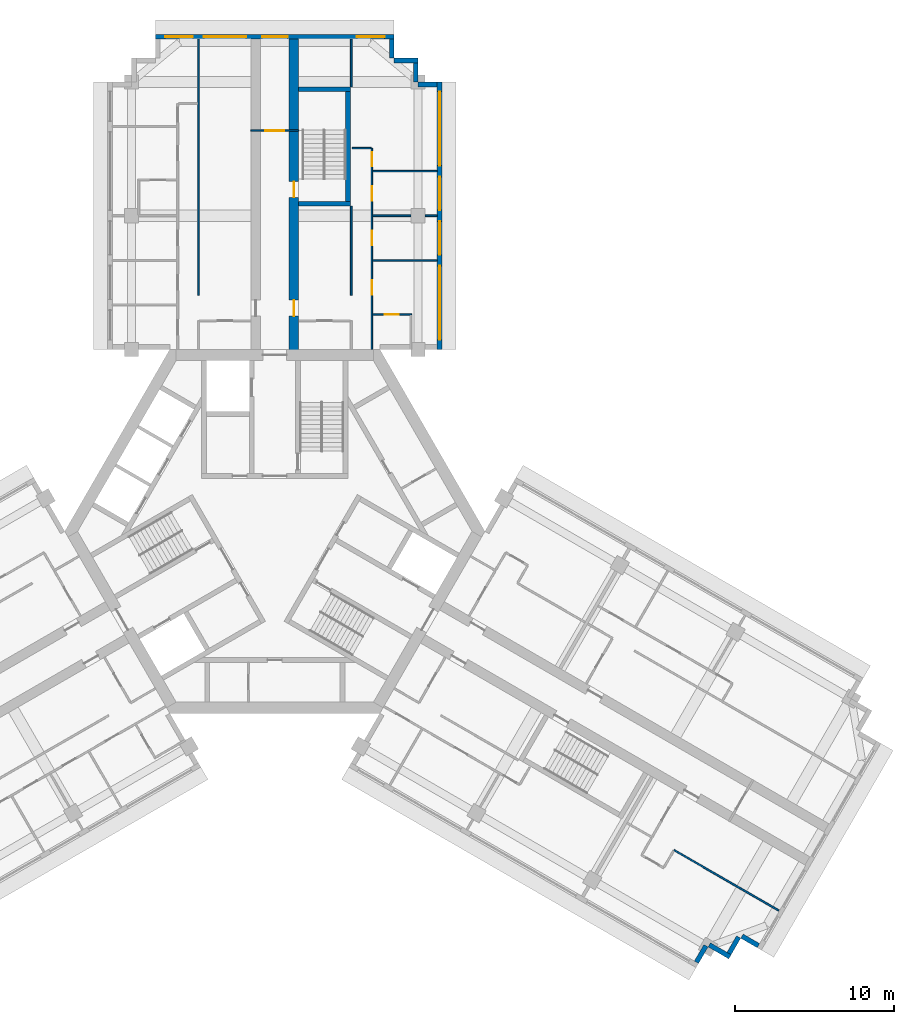
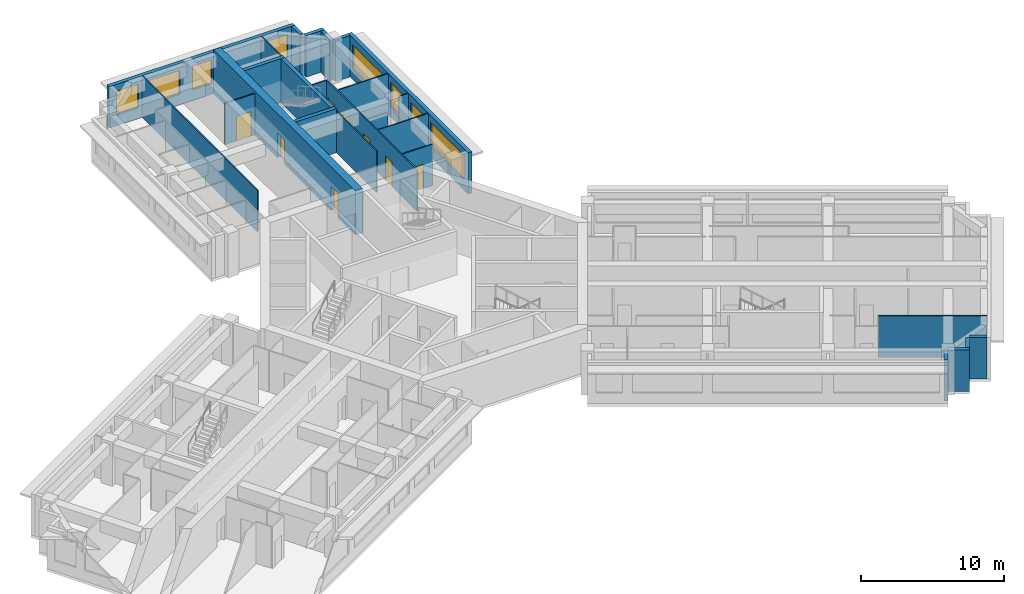
# One storey, part 8 of 10: 26 walls, 8 doors, 8 windows, 16 openings.
"""IFC4 building model written with IfcOpenShell, lengths in metres."""

import ifcopenshell
import ifcopenshell.guid

model = None  # the IFC model being written
_history = None  # IfcOwnerHistory: only IFC2X3 demands one
_inside = {}  # id of a spatial element -> (the spatial element, [elements in it])
_under = {}  # id of a project, library or spatial element -> (it, [spatial elements below it])
_declared = {}  # id of a project -> (the project, [libraries it declares])
_typed = {}  # id of a type object -> (the type object, [elements of that type])
_made_of = {}  # id of a material, layer set ... -> (it, [elements and type objects made of it])


def new_model(schema):
    """Start an empty IFC model of exactly this schema.

    Asked for "IFC4X3", IfcOpenShell would pick the latest addendum, in which some entities
    have other attributes; the version numbers below select the first issue.
    IFC2X3 requires an IfcOwnerHistory on every rooted entity: one is made here for all.
    """
    global model, _history
    if schema == "IFC4X3":
        model = ifcopenshell.file(schema_version=(4, 3, 0, 0))
    else:
        model = ifcopenshell.file(schema=schema)
    _inside.clear()
    _under.clear()
    _declared.clear()
    _typed.clear()
    _made_of.clear()
    _history = None
    if model.schema == "IFC2X3":
        org = make("IfcOrganization", Name="unknown")
        user = make(
            "IfcPersonAndOrganization",
            ThePerson=make("IfcPerson", FamilyName="unknown"),
            TheOrganization=org,
        )
        app = make(
            "IfcApplication",
            ApplicationDeveloper=org,
            Version="unknown",
            ApplicationFullName="unknown",
            ApplicationIdentifier="unknown",
        )
        _history = make(
            "IfcOwnerHistory",
            OwningUser=user,
            OwningApplication=app,
            ChangeAction="ADDED",
            CreationDate=0,
        )
    return model


def make(cls, **values):
    """One entity of the class cls with the attributes given. An attribute that is None is left unset."""
    return model.create_entity(
        cls, **{name: value for name, value in values.items() if value is not None}
    )


def rooted(cls, **values):
    """An entity with a GlobalId (a new one), such as an element, a storey or a relation."""
    return make(cls, GlobalId=ifcopenshell.guid.new(), OwnerHistory=_history, **values)


def si_unit(unit_type, name, prefix=None):
    """IfcSIUnit, for example si_unit("LENGTHUNIT", "METRE", prefix="MILLI")."""
    return make("IfcSIUnit", UnitType=unit_type, Prefix=prefix, Name=name)


def assignment(units):
    """IfcUnitAssignment: the units of a project."""
    return None if units is None else make("IfcUnitAssignment", Units=units)


def point(xyz):
    """IfcCartesianPoint."""
    return None if xyz is None else make("IfcCartesianPoint", Coordinates=xyz)


def direction(xyz):
    """IfcDirection."""
    return None if xyz is None else make("IfcDirection", DirectionRatios=xyz)


def frame(location, z_axis=None, x_axis=None):
    """IfcAxis2Placement3D, a coordinate frame: its origin and axes. An axis left out is left unset."""
    return make(
        "IfcAxis2Placement3D",
        Location=point(location),
        Axis=direction(z_axis),
        RefDirection=direction(x_axis),
    )


def frame_2d(location, x_axis=None):
    """IfcAxis2Placement2D, a coordinate frame in the plane: its origin and x axis."""
    return make(
        "IfcAxis2Placement2D", Location=point(location), RefDirection=direction(x_axis)
    )


def origin():
    """The frame at (0, 0, 0) with its axes left unset."""
    return frame((0.0, 0.0, 0.0))


def place(relative_to, where):
    """IfcLocalPlacement: puts the frame where relative to a parent placement (None: the world)."""
    return make(
        "IfcLocalPlacement", PlacementRelTo=relative_to, RelativePlacement=where
    )


def context(
    kind, dimensions, precision=None, world=None, true_north=None, identifier=None
):
    """IfcGeometricRepresentationContext, for example the 3D "Model" context."""
    return make(
        "IfcGeometricRepresentationContext",
        ContextIdentifier=identifier,
        ContextType=kind,
        CoordinateSpaceDimension=dimensions,
        Precision=precision,
        WorldCoordinateSystem=world,
        TrueNorth=true_north,
    )


def subcontext(parent, identifier, kind, view, scale=None):
    """IfcGeometricRepresentationSubContext, for example "Body" below "Model"."""
    return make(
        "IfcGeometricRepresentationSubContext",
        ContextIdentifier=identifier,
        ContextType=kind,
        ParentContext=parent,
        TargetScale=scale,
        TargetView=view,
    )


def project(units=None, contexts=None):
    """IfcProject with its units and contexts."""
    return rooted(
        "IfcProject",
        Name="project",
        RepresentationContexts=contexts,
        UnitsInContext=assignment(units),
    )


def spatial(cls, under=None, at=None, **own):
    """A site, building, storey or space (cls), placed at a placement, below another one or the project."""
    s = rooted(cls, ObjectPlacement=at, **own)
    if under is not None:
        _under.setdefault(under.id(), (under, []))[1].append(s)
    return s


def profile(cls, at=None, kind="AREA", **sizes):
    """A parametric profile (cls). Its sizes go by their IFC names, for example OverallWidth=200.0."""
    return make(cls, ProfileType=kind, Position=at, **sizes)


def rectangle(**sizes):
    """IfcRectangleProfileDef."""
    return profile("IfcRectangleProfileDef", **sizes)


def extrude(swept, where, along, depth):
    """IfcExtrudedAreaSolid: the profile swept, set in the frame where, extruded along a direction by depth."""
    return make(
        "IfcExtrudedAreaSolid",
        SweptArea=swept,
        Position=where,
        ExtrudedDirection=direction(along),
        Depth=depth,
    )


def shape(context_of_items, identifier, shape_type, items):
    """IfcShapeRepresentation: the items that make up one representation, for example the "Body"."""
    return make(
        "IfcShapeRepresentation",
        ContextOfItems=context_of_items,
        RepresentationIdentifier=identifier,
        RepresentationType=shape_type,
        Items=items,
    )


def material(Name=None, Category=None):
    """IfcMaterial."""
    return make("IfcMaterial", Name=Name, Category=Category)


def layer(
    of_material, thickness, ventilated=None, Name=None, Category=None, Priority=None
):
    """IfcMaterialLayer: one layer of a wall or slab, of a material (None: an air gap)."""
    return make(
        "IfcMaterialLayer",
        Material=of_material,
        LayerThickness=thickness,
        IsVentilated=ventilated,
        Name=Name,
        Category=Category,
        Priority=Priority,
    )


def layer_set(layers, Name=None):
    """IfcMaterialLayerSet."""
    return make("IfcMaterialLayerSet", MaterialLayers=layers, LayerSetName=Name)


def made_of(thing, what):
    """Note that an element or type object is made of a material, layer set ...; save() writes the relation."""
    if what is not None:
        _made_of.setdefault(what.id(), (what, []))[1].append(thing)
    return thing


def type_object(cls, material=None, **own):
    """A type object (cls), such as IfcWallType, which elements share."""
    return made_of(rooted(cls, **own), material)


def element(
    cls,
    number,
    at=None,
    inside=None,
    cuts=None,
    type_object=None,
    material=None,
    context=None,
    identifier="Body",
    shape_type=None,
    held_by="IfcProductDefinitionShape",
    body=None,
    shapes=None,
    **own,
):
    """One element of the class cls, such as IfcWall. Its Tag is "e" and its number.

    at: its placement. inside: the storey or other place that contains it. cuts: it is an
    opening in that element (IfcRelVoidsElement). A single representation is given by context,
    identifier, shape_type and body (its items); several are given by shapes. held_by: the class
    of the entity that holds the representations. save() writes the other relations.
    """
    e = rooted(cls, Tag="e%d" % number, ObjectPlacement=at, **own)
    if body is not None:
        shapes = [shape(context, identifier, shape_type, body)]
    if shapes is not None:
        e.Representation = make(held_by, Representations=shapes)
    if inside is not None:
        _inside.setdefault(inside.id(), (inside, []))[1].append(e)
    if cuts is not None:
        rooted(
            "IfcRelVoidsElement", RelatingBuildingElement=cuts, RelatedOpeningElement=e
        )
    if type_object is not None:
        _typed.setdefault(type_object.id(), (type_object, []))[1].append(e)
    return made_of(e, material)


def fill(opening, filler):
    """IfcRelFillsElement: the door or window that sits in an opening."""
    return rooted(
        "IfcRelFillsElement",
        RelatingOpeningElement=opening,
        RelatedBuildingElement=filler,
    )


def aggregate(whole, parts):
    """IfcRelAggregates: a whole, such as a stair, and the parts it consists of."""
    return rooted("IfcRelAggregates", RelatingObject=whole, RelatedObjects=parts)


def save(model, path):
    """Write the relations noted so far, then the file.

    IfcRelAggregates (storeys below a building ...), IfcRelContainedInSpatialStructure (elements
    in a storey), IfcRelDefinesByType, IfcRelAssociatesMaterial and IfcRelDeclares: one each for
    every whole, place, type object, material and project.
    """
    for whole, parts in _under.values():
        aggregate(whole, parts)
    for where, things in _inside.values():
        rooted(
            "IfcRelContainedInSpatialStructure",
            RelatedElements=things,
            RelatingStructure=where,
        )
    for kind, things in _typed.values():
        rooted("IfcRelDefinesByType", RelatedObjects=things, RelatingType=kind)
    for what, things in _made_of.values():
        rooted("IfcRelAssociatesMaterial", RelatedObjects=things, RelatingMaterial=what)
    for by, libraries in _declared.values():
        rooted("IfcRelDeclares", RelatingContext=by, RelatedDefinitions=libraries)
    model.write(path)


model = new_model("IFC4")

# Units and contexts
model_context = context("Model", 3, precision=1e-05, world=origin(), true_north=direction((0.0, 1.0)))
body_context = subcontext(model_context, "Body", "Model", "MODEL_VIEW")
ifc_project = project(units=[si_unit("LENGTHUNIT", "METRE"), si_unit("AREAUNIT", "SQUARE_METRE"), si_unit("VOLUMEUNIT", "CUBIC_METRE"), si_unit("PLANEANGLEUNIT", "RADIAN"), si_unit("MASSUNIT", "GRAM", prefix="KILO")], contexts=[model_context])

# Site, building, storey
site_placement = place(None, origin())
site = spatial("IfcSite", under=ifc_project, at=site_placement, CompositionType="ELEMENT")
building_placement = place(site_placement, origin())
building = spatial("IfcBuilding", under=site, at=building_placement, Name="Impinga Residences", CompositionType="ELEMENT")
storey_placement = place(building_placement, frame((0.0, 0.0, 196.0)))
storey = spatial("IfcBuildingStorey", under=building, at=storey_placement, Name="L48", CompositionType="ELEMENT", Elevation=196.0)

# Wall, openings, doors
ifc_material_1 = material(Name="Concrete C60/75", Category="concrete")
ifc_layer_1 = layer(ifc_material_1, 0.60009765625)
ifc_layer_set_1 = layer_set([ifc_layer_1], Name="Concrete C60/75")
wall_type_1 = type_object("IfcWallType", Name="BW3 corridor buttress wall, L46 to L73 600", PredefinedType="SHEAR", material=ifc_layer_set_1)
wall_1_placement = place(storey_placement, frame((1.199951171875, 11.08154296875, 0.0), z_axis=(0.0, 0.0, 1.0), x_axis=(0.0, 1.0, 0.0)))
wall_1 = element("IfcWall", 1, at=wall_1_placement, inside=storey, type_object=wall_type_1, Name="Corridor wall BW3 ND L48", PredefinedType="SHEAR", context=body_context, shape_type="SweptSolid", body=[
    extrude(rectangle(XDim=19.85009765625, YDim=0.60009765625, at=frame_2d((9.925048828125, 0.0))), origin(), (0.0, 0.0, 1.0), 3.75),
])
opening_1_placement = place(wall_1_placement, frame((9.89990234375, 0.0, 0.0)))
opening_1 = element("IfcOpeningElement", 2, at=opening_1_placement, cuts=wall_1, Name="Opening D5", PredefinedType="OPENING", context=body_context, shape_type="SweptSolid", body=[
    extrude(rectangle(XDim=1.0, YDim=2.10009765625, at=frame_2d((0.5, 1.050048828125))), frame((0.0, 0.31005859375, 0.0), z_axis=(0.0, -1.0, 0.0), x_axis=(1.0, 0.0, 0.0)), (0.0, 0.0, 1.0), 0.6201171875),
])
opening_2_placement = place(wall_1_placement, frame((2.449951171875, 0.0, 0.0)))
opening_2 = element("IfcOpeningElement", 3, at=opening_2_placement, cuts=wall_1, Name="Opening D1", PredefinedType="OPENING", context=body_context, shape_type="SweptSolid", body=[
    extrude(rectangle(XDim=1.0, YDim=2.10009765625, at=frame_2d((0.5, 1.050048828125))), frame((0.0, 0.31005859375, 0.0), z_axis=(0.0, -1.0, 0.0), x_axis=(1.0, 0.0, 0.0)), (0.0, 0.0, 1.0), 0.6201171875),
])
ifc_material_2 = material(Name="Timber door set", Category="wood")
door_type_1 = type_object("IfcDoorType", Name="D1 apartment entrance door 1000x2100", OperationType="SINGLE_SWING_LEFT", PredefinedType="DOOR", material=ifc_material_2)
door_1_placement = place(opening_2_placement, origin())
door_1 = element("IfcDoor", 4, at=door_1_placement, inside=storey, type_object=door_type_1, Name="Apartment L48-NF1 entrance", OperationType="SINGLE_SWING_LEFT", OverallHeight=2.10009765625, OverallWidth=1.0, PredefinedType="DOOR", context=body_context, shape_type="SweptSolid", body=[
    extrude(rectangle(XDim=1.0, YDim=2.10009765625, at=frame_2d((0.5, 1.050048828125))), frame((0.0, 0.02490234375, 0.0), z_axis=(0.0, -1.0, 0.0), x_axis=(1.0, 0.0, 0.0)), (0.0, 0.0, 1.0), 0.050048828125),
])
fill(opening_2, door_1)
door_type_2 = type_object("IfcDoorType", Name="D5 stair door 1000x2100", OperationType="SINGLE_SWING_LEFT", PredefinedType="DOOR", material=ifc_material_2)
door_2_placement = place(opening_1_placement, origin())
door_2 = element("IfcDoor", 5, at=door_2_placement, inside=storey, type_object=door_type_2, Name="Wing stair door N", OperationType="SINGLE_SWING_RIGHT", OverallHeight=2.10009765625, OverallWidth=1.0, PredefinedType="DOOR", context=body_context, shape_type="SweptSolid", body=[
    extrude(rectangle(XDim=1.0, YDim=2.10009765625, at=frame_2d((0.5, 1.050048828125))), frame((0.0, 0.02490234375, 0.0), z_axis=(0.0, -1.0, 0.0), x_axis=(1.0, 0.0, 0.0)), (0.0, 0.0, 1.0), 0.050048828125),
])
fill(opening_1, door_2)

# Wall, opening, door
ifc_material_3 = material(Name="Concrete blockwork", Category="masonry")
ifc_layer_2 = layer(ifc_material_3, 0.10009765625)
ifc_layer_set_2 = layer_set([ifc_layer_2], Name="CP1 core room partition, blockwork 100")
wall_type_2 = type_object("IfcWallType", Name="CP1 core room partition, blockwork 100", PredefinedType="PARTITIONING", material=ifc_layer_set_2)
wall_2_placement = place(storey_placement, frame((-1.5, 25.181640625, 0.0), z_axis=(0.0, 0.0, 1.0), x_axis=(1.0, 0.0, 0.0)))
wall_2 = element("IfcWall", 6, at=wall_2_placement, inside=storey, type_object=wall_type_2, Name="Core room partition, blockwork L48:N:LNG", PredefinedType="PARTITIONING", context=body_context, shape_type="SweptSolid", body=[
    extrude(rectangle(XDim=3.0, YDim=0.10009765625, at=frame_2d((1.5, 0.0))), origin(), (0.0, 0.0, 1.0), 3.530029296875),
])
opening_3_placement = place(wall_2_placement, frame((0.89990234375, 0.0, 0.0)))
opening_3 = element("IfcOpeningElement", 7, at=opening_3_placement, cuts=wall_2, Name="Opening D3", PredefinedType="OPENING", context=body_context, shape_type="SweptSolid", body=[
    extrude(rectangle(XDim=1.199951171875, YDim=2.10009765625, at=frame_2d((0.60009765625, 1.050048828125))), frame((0.0, 0.06005859375, 0.0), z_axis=(0.0, -1.0, 0.0), x_axis=(1.0, 0.0, 0.0)), (0.0, 0.0, 1.0), 0.1201171875),
])
door_type_3 = type_object("IfcDoorType", Name="D3 room door, leaf and a half 1200x2100", OperationType="DOUBLE_SWING_LEFT", PredefinedType="DOOR", material=ifc_material_2)
door_3_placement = place(opening_3_placement, origin())
door_3 = element("IfcDoor", 8, at=door_3_placement, inside=storey, type_object=door_type_3, Name="Residents' lounge door N", OperationType="DOUBLE_SWING_LEFT", OverallHeight=2.10009765625, OverallWidth=1.199951171875, PredefinedType="DOOR", context=body_context, shape_type="SweptSolid", body=[
    extrude(rectangle(XDim=1.199951171875, YDim=2.10009765625, at=frame_2d((0.60009765625, 1.050048828125))), frame((0.0, 0.02490234375, 0.0), z_axis=(0.0, -1.0, 0.0), x_axis=(1.0, 0.0, 0.0)), (0.0, 0.0, 1.0), 0.050048828125),
])
fill(opening_3, door_3)

# Wall, openings, windows
ifc_material_4 = material(Name="Terracotta rainscreen on blockwork", Category="masonry")
ifc_layer_3 = layer(ifc_material_4, 0.300048828125)
ifc_layer_set_3 = layer_set([ifc_layer_3], Name="EW1 external wall, terracotta rainscreen on blockwork 300")
wall_type_3 = type_object("IfcWallType", Name="EW1 external wall, terracotta rainscreen on blockwork 300", PredefinedType="SOLIDWALL", material=ifc_layer_set_3)
wall_3_placement = place(storey_placement, frame((-7.5, 31.08154296875, 0.0), z_axis=(0.0, 0.0, 1.0), x_axis=(1.0, 0.0, 0.0)))
wall_3 = element("IfcWall", 9, at=wall_3_placement, inside=storey, type_object=wall_type_3, Name="External wall EW1 L48", PredefinedType="SOLIDWALL", context=body_context, shape_type="SweptSolid", body=[
    extrude(rectangle(XDim=15.0, YDim=0.300048828125, at=frame_2d((7.5, 0.0))), origin(), (0.0, 0.0, 1.0), 3.530029296875),
])
opening_4_placement = place(wall_3_placement, frame((0.60009765625, 0.0, 0.89990234375)))
opening_4 = element("IfcOpeningElement", 10, at=opening_4_placement, cuts=wall_3, Name="Opening W1", PredefinedType="OPENING", context=body_context, shape_type="SweptSolid", body=[
    extrude(rectangle(XDim=1.75, YDim=2.050048828125, at=frame_2d((0.875, 1.02490234375))), frame((0.0, 0.159912109375, 0.0), z_axis=(0.0, -1.0, 0.0), x_axis=(1.0, 0.0, 0.0)), (0.0, 0.0, 1.0), 0.320068359375),
])
opening_5_placement = place(wall_3_placement, frame((3.050048828125, 0.0, 0.89990234375)))
opening_5 = element("IfcOpeningElement", 11, at=opening_5_placement, cuts=wall_3, Name="Opening W18", PredefinedType="OPENING", context=body_context, shape_type="SweptSolid", body=[
    extrude(rectangle(XDim=2.64990234375, YDim=2.050048828125, at=frame_2d((1.324951171875, 1.02490234375))), frame((0.0, 0.159912109375, 0.0), z_axis=(0.0, -1.0, 0.0), x_axis=(1.0, 0.0, 0.0)), (0.0, 0.0, 1.0), 0.320068359375),
])
opening_6_placement = place(wall_3_placement, frame((6.699951171875, 0.0, 0.89990234375)))
opening_6 = element("IfcOpeningElement", 12, at=opening_6_placement, cuts=wall_3, Name="Opening W19", PredefinedType="OPENING", context=body_context, shape_type="SweptSolid", body=[
    extrude(rectangle(XDim=1.60009765625, YDim=2.050048828125, at=frame_2d((0.800048828125, 1.02490234375))), frame((0.0, 0.159912109375, 0.0), z_axis=(0.0, -1.0, 0.0), x_axis=(1.0, 0.0, 0.0)), (0.0, 0.0, 1.0), 0.320068359375),
])
opening_7_placement = place(wall_3_placement, frame((12.64990234375, 0.0, 0.89990234375)))
opening_7 = element("IfcOpeningElement", 13, at=opening_7_placement, cuts=wall_3, Name="Opening W1", PredefinedType="OPENING", context=body_context, shape_type="SweptSolid", body=[
    extrude(rectangle(XDim=1.75, YDim=2.050048828125, at=frame_2d((0.875, 1.02490234375))), frame((0.0, 0.159912109375, 0.0), z_axis=(0.0, -1.0, 0.0), x_axis=(1.0, 0.0, 0.0)), (0.0, 0.0, 1.0), 0.320068359375),
])
ifc_material_5 = material(Name="Aluminium window, clear double glazing", Category="aluminium")
window_type_1 = type_object("IfcWindowType", Name="W1 ribbon window 1750x2050", PartitioningType="SINGLE_PANEL", PredefinedType="WINDOW", material=ifc_material_5)
window_1_placement = place(opening_4_placement, origin())
window_1 = element("IfcWindow", 14, at=window_1_placement, inside=storey, type_object=window_type_1, Name="Window L48", OverallHeight=2.050048828125, OverallWidth=1.75, PartitioningType="SINGLE_PANEL", PredefinedType="WINDOW", context=body_context, shape_type="SweptSolid", body=[
    extrude(rectangle(XDim=1.75, YDim=2.050048828125, at=frame_2d((0.875, 1.02490234375))), frame((0.0, 0.030029296875, 0.0), z_axis=(0.0, -1.0, 0.0), x_axis=(1.0, 0.0, 0.0)), (0.0, 0.0, 1.0), 0.06005859375),
])
fill(opening_4, window_1)
window_2_placement = place(opening_7_placement, origin())
window_2 = element("IfcWindow", 15, at=window_2_placement, inside=storey, type_object=window_type_1, Name="Window L48", OverallHeight=2.050048828125, OverallWidth=1.75, PartitioningType="SINGLE_PANEL", PredefinedType="WINDOW", context=body_context, shape_type="SweptSolid", body=[
    extrude(rectangle(XDim=1.75, YDim=2.050048828125, at=frame_2d((0.875, 1.02490234375))), frame((0.0, 0.030029296875, 0.0), z_axis=(0.0, -1.0, 0.0), x_axis=(1.0, 0.0, 0.0)), (0.0, 0.0, 1.0), 0.06005859375),
])
fill(opening_7, window_2)
window_type_2 = type_object("IfcWindowType", Name="W18 ribbon window 2650x2050", PartitioningType="SINGLE_PANEL", PredefinedType="WINDOW", material=ifc_material_5)
window_3_placement = place(opening_5_placement, origin())
window_3 = element("IfcWindow", 16, at=window_3_placement, inside=storey, type_object=window_type_2, Name="Window L48", OverallHeight=2.050048828125, OverallWidth=2.64990234375, PartitioningType="SINGLE_PANEL", PredefinedType="WINDOW", context=body_context, shape_type="SweptSolid", body=[
    extrude(rectangle(XDim=2.64990234375, YDim=2.050048828125, at=frame_2d((1.324951171875, 1.02490234375))), frame((0.0, 0.030029296875, 0.0), z_axis=(0.0, -1.0, 0.0), x_axis=(1.0, 0.0, 0.0)), (0.0, 0.0, 1.0), 0.06005859375),
])
fill(opening_5, window_3)
window_type_3 = type_object("IfcWindowType", Name="W19 ribbon window 1600x2050", PartitioningType="SINGLE_PANEL", PredefinedType="WINDOW", material=ifc_material_5)
window_4_placement = place(opening_6_placement, origin())
window_4 = element("IfcWindow", 17, at=window_4_placement, inside=storey, type_object=window_type_3, Name="Window L48", OverallHeight=2.050048828125, OverallWidth=1.60009765625, PartitioningType="SINGLE_PANEL", PredefinedType="WINDOW", context=body_context, shape_type="SweptSolid", body=[
    extrude(rectangle(XDim=1.60009765625, YDim=2.050048828125, at=frame_2d((0.800048828125, 1.02490234375))), frame((0.0, 0.030029296875, 0.0), z_axis=(0.0, -1.0, 0.0), x_axis=(1.0, 0.0, 0.0)), (0.0, 0.0, 1.0), 0.06005859375),
])
fill(opening_6, window_4)

# Walls
wall_4_placement = place(storey_placement, frame((7.35009765625, 30.931640625, 0.0), z_axis=(0.0, 0.0, 1.0), x_axis=(0.0, -1.0, 0.0)))
element("IfcWall", 18, at=wall_4_placement, inside=storey, type_object=wall_type_3, Name="External wall EW1 L48", PredefinedType="SOLIDWALL", context=body_context, shape_type="SweptSolid", body=[
    extrude(rectangle(XDim=1.195068359375, YDim=0.300048828125, at=frame_2d((0.59765625, 0.0))), origin(), (0.0, 0.0, 1.0), 3.530029296875),
])
wall_5_placement = place(storey_placement, frame((7.5, 29.58154296875, 0.0), z_axis=(0.0, 0.0, 1.0), x_axis=(1.0, 0.0, 0.0)))
element("IfcWall", 19, at=wall_5_placement, inside=storey, type_object=wall_type_3, Name="External wall EW1 L48", PredefinedType="SOLIDWALL", context=body_context, shape_type="SweptSolid", body=[
    extrude(rectangle(XDim=1.5, YDim=0.300048828125, at=frame_2d((0.75, 0.0))), origin(), (0.0, 0.0, 1.0), 3.530029296875),
])
wall_6_placement = place(storey_placement, frame((8.85009765625, 29.431640625, 0.0), z_axis=(0.0, 0.0, 1.0), x_axis=(0.0, -1.0, 0.0)))
element("IfcWall", 20, at=wall_6_placement, inside=storey, type_object=wall_type_3, Name="External wall EW1 L48", PredefinedType="SOLIDWALL", context=body_context, shape_type="SweptSolid", body=[
    extrude(rectangle(XDim=1.2001953125, YDim=0.300048828125, at=frame_2d((0.60009765625, 0.0))), origin(), (0.0, 0.0, 1.0), 3.530029296875),
])
wall_7_placement = place(storey_placement, frame((9.0048828125, 28.08154296875, 0.0), z_axis=(0.0, 0.0, 1.0), x_axis=(1.0, 0.0, 0.0)))
element("IfcWall", 21, at=wall_7_placement, inside=storey, type_object=wall_type_3, Name="External wall EW1 L48", PredefinedType="SOLIDWALL", context=body_context, shape_type="SweptSolid", body=[
    extrude(rectangle(XDim=1.195068359375, YDim=0.300048828125, at=frame_2d((0.59765625, 0.0))), origin(), (0.0, 0.0, 1.0), 3.530029296875),
])

# Wall, openings, windows
wall_8_placement = place(storey_placement, frame((10.35009765625, 28.2314453125, 0.0), z_axis=(0.0, 0.0, 1.0), x_axis=(0.0, -1.0, 0.0)))
wall_8 = element("IfcWall", 22, at=wall_8_placement, inside=storey, type_object=wall_type_3, Name="External wall EW1 L48", PredefinedType="SOLIDWALL", context=body_context, shape_type="SweptSolid", body=[
    extrude(rectangle(XDim=16.7998046875, YDim=0.300048828125, at=frame_2d((8.39990234375, 0.0))), origin(), (0.0, 0.0, 1.0), 3.530029296875),
])
opening_8_placement = place(wall_8_placement, frame((0.60009765625, 0.0, 0.89990234375)))
opening_8 = element("IfcOpeningElement", 23, at=opening_8_placement, cuts=wall_8, Name="Opening W10", PredefinedType="OPENING", context=body_context, shape_type="SweptSolid", body=[
    extrude(rectangle(XDim=4.64990234375, YDim=2.050048828125, at=frame_2d((2.324951171875, 1.02490234375))), frame((0.0, 0.159912109375, 0.0), z_axis=(0.0, -1.0, 0.0), x_axis=(1.0, 0.0, 0.0)), (0.0, 0.0, 1.0), 0.320068359375),
])
opening_9_placement = place(wall_8_placement, frame((5.949951171875, 0.0, 0.89990234375)))
opening_9 = element("IfcOpeningElement", 24, at=opening_9_placement, cuts=wall_8, Name="Opening W9", PredefinedType="OPENING", context=body_context, shape_type="SweptSolid", body=[
    extrude(rectangle(XDim=2.10009765625, YDim=2.050048828125, at=frame_2d((1.050048828125, 1.02490234375))), frame((0.0, 0.159912109375, 0.0), z_axis=(0.0, -1.0, 0.0), x_axis=(1.0, 0.0, 0.0)), (0.0, 0.0, 1.0), 0.320068359375),
])
opening_10_placement = place(wall_8_placement, frame((8.75, 0.0, 0.89990234375)))
opening_10 = element("IfcOpeningElement", 25, at=opening_10_placement, cuts=wall_8, Name="Opening W9", PredefinedType="OPENING", context=body_context, shape_type="SweptSolid", body=[
    extrude(rectangle(XDim=2.10009765625, YDim=2.050048828125, at=frame_2d((1.050048828125, 1.02490234375))), frame((0.0, 0.159912109375, 0.0), z_axis=(0.0, -1.0, 0.0), x_axis=(1.0, 0.0, 0.0)), (0.0, 0.0, 1.0), 0.320068359375),
])
opening_11_placement = place(wall_8_placement, frame((11.550048828125, 0.0, 0.89990234375)))
opening_11 = element("IfcOpeningElement", 26, at=opening_11_placement, cuts=wall_8, Name="Opening W10", PredefinedType="OPENING", context=body_context, shape_type="SweptSolid", body=[
    extrude(rectangle(XDim=4.64990234375, YDim=2.050048828125, at=frame_2d((2.324951171875, 1.02490234375))), frame((0.0, 0.159912109375, 0.0), z_axis=(0.0, -1.0, 0.0), x_axis=(1.0, 0.0, 0.0)), (0.0, 0.0, 1.0), 0.320068359375),
])
window_type_4 = type_object("IfcWindowType", Name="W10 ribbon window 4650x2050", PartitioningType="SINGLE_PANEL", PredefinedType="WINDOW", material=ifc_material_5)
window_5_placement = place(opening_8_placement, origin())
window_5 = element("IfcWindow", 27, at=window_5_placement, inside=storey, type_object=window_type_4, Name="Window L48", OverallHeight=2.050048828125, OverallWidth=4.64990234375, PartitioningType="SINGLE_PANEL", PredefinedType="WINDOW", context=body_context, shape_type="SweptSolid", body=[
    extrude(rectangle(XDim=4.64990234375, YDim=2.050048828125, at=frame_2d((2.324951171875, 1.02490234375))), frame((0.0, 0.030029296875, 0.0), z_axis=(0.0, -1.0, 0.0), x_axis=(1.0, 0.0, 0.0)), (0.0, 0.0, 1.0), 0.06005859375),
])
fill(opening_8, window_5)
window_6_placement = place(opening_11_placement, origin())
window_6 = element("IfcWindow", 28, at=window_6_placement, inside=storey, type_object=window_type_4, Name="Window L48", OverallHeight=2.050048828125, OverallWidth=4.64990234375, PartitioningType="SINGLE_PANEL", PredefinedType="WINDOW", context=body_context, shape_type="SweptSolid", body=[
    extrude(rectangle(XDim=4.64990234375, YDim=2.050048828125, at=frame_2d((2.324951171875, 1.02490234375))), frame((0.0, 0.030029296875, 0.0), z_axis=(0.0, -1.0, 0.0), x_axis=(1.0, 0.0, 0.0)), (0.0, 0.0, 1.0), 0.06005859375),
])
fill(opening_11, window_6)
window_type_5 = type_object("IfcWindowType", Name="W9 ribbon window 2100x2050", PartitioningType="SINGLE_PANEL", PredefinedType="WINDOW", material=ifc_material_5)
window_7_placement = place(opening_9_placement, origin())
window_7 = element("IfcWindow", 29, at=window_7_placement, inside=storey, type_object=window_type_5, Name="Window L48", OverallHeight=2.050048828125, OverallWidth=2.10009765625, PartitioningType="SINGLE_PANEL", PredefinedType="WINDOW", context=body_context, shape_type="SweptSolid", body=[
    extrude(rectangle(XDim=2.10009765625, YDim=2.050048828125, at=frame_2d((1.050048828125, 1.02490234375))), frame((0.0, 0.030029296875, 0.0), z_axis=(0.0, -1.0, 0.0), x_axis=(1.0, 0.0, 0.0)), (0.0, 0.0, 1.0), 0.06005859375),
])
fill(opening_9, window_7)
window_8_placement = place(opening_10_placement, origin())
window_8 = element("IfcWindow", 30, at=window_8_placement, inside=storey, type_object=window_type_5, Name="Window L48", OverallHeight=2.050048828125, OverallWidth=2.10009765625, PartitioningType="SINGLE_PANEL", PredefinedType="WINDOW", context=body_context, shape_type="SweptSolid", body=[
    extrude(rectangle(XDim=2.10009765625, YDim=2.050048828125, at=frame_2d((1.050048828125, 1.02490234375))), frame((0.0, 0.030029296875, 0.0), z_axis=(0.0, -1.0, 0.0), x_axis=(1.0, 0.0, 0.0)), (0.0, 0.0, 1.0), 0.06005859375),
])
fill(opening_10, window_8)

# Walls
wall_9_placement = place(storey_placement, frame((30.38720703125, -26.031005859375, 0.0), z_axis=(0.0, 0.0, 1.0), x_axis=(-0.866059708757, 0.499940577336, 0.0)))
element("IfcWall", 31, at=wall_9_placement, inside=storey, type_object=wall_type_3, Name="External wall EW1 L48", PredefinedType="SOLIDWALL", context=body_context, shape_type="SweptSolid", body=[
    extrude(rectangle(XDim=1.195068359375, YDim=0.300048828125, at=frame_2d((0.59765625, 0.0))), origin(), (0.0, 0.0, 1.0), 3.530029296875),
])
wall_10_placement = place(storey_placement, frame((29.14306640625, -25.48583984375, 0.0), z_axis=(0.0, 0.0, 1.0), x_axis=(-0.500033551112, -0.866006032174, 0.0)))
element("IfcWall", 32, at=wall_10_placement, inside=storey, type_object=wall_type_3, Name="External wall EW1 L48", PredefinedType="SOLIDWALL", context=body_context, shape_type="SweptSolid", body=[
    extrude(rectangle(XDim=1.2001953125, YDim=0.300048828125, at=frame_2d((0.60009765625, 0.0))), origin(), (0.0, 0.0, 1.0), 3.530029296875),
])
wall_11_placement = place(storey_placement, frame((28.597900390625, -26.72998046875, 0.0), z_axis=(0.0, 0.0, 1.0), x_axis=(-0.866031096941, 0.499990139034, 0.0)))
element("IfcWall", 33, at=wall_11_placement, inside=storey, type_object=wall_type_3, Name="External wall EW1 L48", PredefinedType="SOLIDWALL", context=body_context, shape_type="SweptSolid", body=[
    extrude(rectangle(XDim=1.5, YDim=0.300048828125, at=frame_2d((0.75, 0.0))), origin(), (0.0, 0.0, 1.0), 3.530029296875),
])
wall_12_placement = place(storey_placement, frame((27.091552734375, -26.039306640625, 0.0), z_axis=(0.0, 0.0, 1.0), x_axis=(-0.500093796661, -0.865971243484, 0.0)))
element("IfcWall", 34, at=wall_12_placement, inside=storey, type_object=wall_type_3, Name="External wall EW1 L48", PredefinedType="SOLIDWALL", context=body_context, shape_type="SweptSolid", body=[
    extrude(rectangle(XDim=1.195068359375, YDim=0.300048828125, at=frame_2d((0.59765625, 0.0))), origin(), (0.0, 0.0, 1.0), 3.530029296875),
])
ifc_material_6 = material(Name="Gypsum board on steel studs", Category="steel")
ifc_layer_4 = layer(ifc_material_6, 0.10009765625)
ifc_layer_set_4 = layer_set([ifc_layer_4], Name="Gypsum board on steel studs")
wall_type_4 = type_object("IfcWallType", Name="IP1 partition 100", PredefinedType="PARTITIONING", material=ifc_layer_set_4)
wall_13_placement = place(storey_placement, frame((-4.800048828125, 14.83154296875, 0.0), z_axis=(0.0, 0.0, 1.0), x_axis=(0.0, 1.0, 0.0)))
element("IfcWall", 35, at=wall_13_placement, inside=storey, type_object=wall_type_4, Name="Partition L48-NA1:DIV1", PredefinedType="PARTITIONING", context=body_context, shape_type="SweptSolid", body=[
    extrude(rectangle(XDim=16.10009765625, YDim=0.10009765625, at=frame_2d((8.050048828125, 0.0))), origin(), (0.0, 0.0, 1.0), 3.530029296875),
])
wall_14_placement = place(storey_placement, frame((4.800048828125, 14.83154296875, 0.0), z_axis=(0.0, 0.0, 1.0), x_axis=(0.0, 1.0, 0.0)))
element("IfcWall", 36, at=wall_14_placement, inside=storey, type_object=wall_type_4, Name="Partition L48-NF1:DIV1", PredefinedType="PARTITIONING", context=body_context, shape_type="SweptSolid", body=[
    extrude(rectangle(XDim=5.60009765625, YDim=0.10009765625, at=frame_2d((2.800048828125, 0.0))), origin(), (0.0, 0.0, 1.0), 3.530029296875),
])
wall_15_placement = place(storey_placement, frame((4.800048828125, 27.931640625, 0.0), z_axis=(0.0, 0.0, 1.0), x_axis=(0.0, 1.0, 0.0)))
element("IfcWall", 37, at=wall_15_placement, inside=storey, type_object=wall_type_4, Name="Partition L48-NF1:DIV2", PredefinedType="PARTITIONING", context=body_context, shape_type="SweptSolid", body=[
    extrude(rectangle(XDim=3.0, YDim=0.10009765625, at=frame_2d((1.5, 0.0))), origin(), (0.0, 0.0, 1.0), 3.530029296875),
])

# Wall, openings, doors
wall_16_placement = place(storey_placement, frame((6.10009765625, 11.431640625, 0.0), z_axis=(0.0, 0.0, 1.0), x_axis=(0.0, 1.0, 0.0)))
wall_16 = element("IfcWall", 38, at=wall_16_placement, inside=storey, type_object=wall_type_4, Name="Partition L48-NF1:STRIP", PredefinedType="PARTITIONING", context=body_context, shape_type="SweptSolid", body=[
    extrude(rectangle(XDim=12.64990234375, YDim=0.10009765625, at=frame_2d((6.324951171875, 0.0))), origin(), (0.0, 0.0, 1.0), 3.530029296875),
])
opening_12_placement = place(wall_16_placement, frame((3.449951171875, 0.0, 0.0)))
opening_12 = element("IfcOpeningElement", 39, at=opening_12_placement, cuts=wall_16, Name="Opening D2", PredefinedType="OPENING", context=body_context, shape_type="SweptSolid", body=[
    extrude(rectangle(XDim=0.89990234375, YDim=2.10009765625, at=frame_2d((0.449951171875, 1.050048828125))), frame((0.0, 0.06005859375, 0.0), z_axis=(0.0, -1.0, 0.0), x_axis=(1.0, 0.0, 0.0)), (0.0, 0.0, 1.0), 0.1201171875),
])
opening_13_placement = place(wall_16_placement, frame((6.550048828125, 0.0, 0.0)))
opening_13 = element("IfcOpeningElement", 40, at=opening_13_placement, cuts=wall_16, Name="Opening D2", PredefinedType="OPENING", context=body_context, shape_type="SweptSolid", body=[
    extrude(rectangle(XDim=0.89990234375, YDim=2.10009765625, at=frame_2d((0.449951171875, 1.050048828125))), frame((0.0, 0.06005859375, 0.0), z_axis=(0.0, -1.0, 0.0), x_axis=(1.0, 0.0, 0.0)), (0.0, 0.0, 1.0), 0.1201171875),
])
opening_14_placement = place(wall_16_placement, frame((9.35009765625, 0.0, 0.0)))
opening_14 = element("IfcOpeningElement", 41, at=opening_14_placement, cuts=wall_16, Name="Opening D2", PredefinedType="OPENING", context=body_context, shape_type="SweptSolid", body=[
    extrude(rectangle(XDim=0.89990234375, YDim=2.10009765625, at=frame_2d((0.449951171875, 1.050048828125))), frame((0.0, 0.06005859375, 0.0), z_axis=(0.0, -1.0, 0.0), x_axis=(1.0, 0.0, 0.0)), (0.0, 0.0, 1.0), 0.1201171875),
])
opening_15_placement = place(wall_16_placement, frame((11.5, 0.0, 0.0)))
opening_15 = element("IfcOpeningElement", 42, at=opening_15_placement, cuts=wall_16, Name="Opening D2", PredefinedType="OPENING", context=body_context, shape_type="SweptSolid", body=[
    extrude(rectangle(XDim=0.89990234375, YDim=2.10009765625, at=frame_2d((0.449951171875, 1.050048828125))), frame((0.0, 0.06005859375, 0.0), z_axis=(0.0, -1.0, 0.0), x_axis=(1.0, 0.0, 0.0)), (0.0, 0.0, 1.0), 0.1201171875),
])
door_type_4 = type_object("IfcDoorType", Name="D2 internal door 900x2100", OperationType="SINGLE_SWING_LEFT", PredefinedType="DOOR", material=ifc_material_2)
door_4_placement = place(opening_12_placement, origin())
door_4 = element("IfcDoor", 43, at=door_4_placement, inside=storey, type_object=door_type_4, Name="Apartment L48-NF1 room door", OperationType="SINGLE_SWING_LEFT", OverallHeight=2.10009765625, OverallWidth=0.89990234375, PredefinedType="DOOR", context=body_context, shape_type="SweptSolid", body=[
    extrude(rectangle(XDim=0.89990234375, YDim=2.10009765625, at=frame_2d((0.449951171875, 1.050048828125))), frame((0.0, 0.02490234375, 0.0), z_axis=(0.0, -1.0, 0.0), x_axis=(1.0, 0.0, 0.0)), (0.0, 0.0, 1.0), 0.050048828125),
])
fill(opening_12, door_4)
door_5_placement = place(opening_13_placement, origin())
door_5 = element("IfcDoor", 44, at=door_5_placement, inside=storey, type_object=door_type_4, Name="Apartment L48-NF1 room door", OperationType="SINGLE_SWING_RIGHT", OverallHeight=2.10009765625, OverallWidth=0.89990234375, PredefinedType="DOOR", context=body_context, shape_type="SweptSolid", body=[
    extrude(rectangle(XDim=0.89990234375, YDim=2.10009765625, at=frame_2d((0.449951171875, 1.050048828125))), frame((0.0, 0.02490234375, 0.0), z_axis=(0.0, -1.0, 0.0), x_axis=(1.0, 0.0, 0.0)), (0.0, 0.0, 1.0), 0.050048828125),
])
fill(opening_13, door_5)
door_6_placement = place(opening_14_placement, origin())
door_6 = element("IfcDoor", 45, at=door_6_placement, inside=storey, type_object=door_type_4, Name="Apartment L48-NF1 room door", OperationType="SINGLE_SWING_RIGHT", OverallHeight=2.10009765625, OverallWidth=0.89990234375, PredefinedType="DOOR", context=body_context, shape_type="SweptSolid", body=[
    extrude(rectangle(XDim=0.89990234375, YDim=2.10009765625, at=frame_2d((0.449951171875, 1.050048828125))), frame((0.0, 0.02490234375, 0.0), z_axis=(0.0, -1.0, 0.0), x_axis=(1.0, 0.0, 0.0)), (0.0, 0.0, 1.0), 0.050048828125),
])
fill(opening_14, door_6)
door_7_placement = place(opening_15_placement, origin())
door_7 = element("IfcDoor", 46, at=door_7_placement, inside=storey, type_object=door_type_4, Name="Apartment L48-NF1 room door", OperationType="SINGLE_SWING_RIGHT", OverallHeight=2.10009765625, OverallWidth=0.89990234375, PredefinedType="DOOR", context=body_context, shape_type="SweptSolid", body=[
    extrude(rectangle(XDim=0.89990234375, YDim=2.10009765625, at=frame_2d((0.449951171875, 1.050048828125))), frame((0.0, 0.02490234375, 0.0), z_axis=(0.0, -1.0, 0.0), x_axis=(1.0, 0.0, 0.0)), (0.0, 0.0, 1.0), 0.050048828125),
])
fill(opening_15, door_7)

# Walls
wall_17_placement = place(storey_placement, frame((4.85009765625, 24.08154296875, 0.0), z_axis=(0.0, 0.0, 1.0), x_axis=(1.0, 0.0, 0.0)))
element("IfcWall", 47, at=wall_17_placement, inside=storey, type_object=wall_type_4, Name="Partition L48-NF1:SE1", PredefinedType="PARTITIONING", context=body_context, shape_type="SweptSolid", body=[
    extrude(rectangle(XDim=1.199951171875, YDim=0.10009765625, at=frame_2d((0.60009765625, 0.0))), origin(), (0.0, 0.0, 1.0), 3.530029296875),
])
wall_18_placement = place(storey_placement, frame((6.14990234375, 17.031494140625, 0.0), z_axis=(0.0, 0.0, 1.0), x_axis=(1.0, 0.0, 0.0)))
element("IfcWall", 48, at=wall_18_placement, inside=storey, type_object=wall_type_4, Name="Partition L48-NF1:OB1", PredefinedType="PARTITIONING", context=body_context, shape_type="SweptSolid", body=[
    extrude(rectangle(XDim=4.050048828125, YDim=0.10009765625, at=frame_2d((2.02490234375, 0.0))), origin(), (0.0, 0.0, 1.0), 3.530029296875),
])
wall_19_placement = place(storey_placement, frame((6.14990234375, 19.83154296875, 0.0), z_axis=(0.0, 0.0, 1.0), x_axis=(1.0, 0.0, 0.0)))
element("IfcWall", 49, at=wall_19_placement, inside=storey, type_object=wall_type_4, Name="Partition L48-NF1:OB2", PredefinedType="PARTITIONING", context=body_context, shape_type="SweptSolid", body=[
    extrude(rectangle(XDim=2.400146484375, YDim=0.10009765625, at=frame_2d((1.2001953125, 0.0))), origin(), (0.0, 0.0, 1.0), 2.47998046875),
])
wall_20_placement = place(storey_placement, frame((9.449951171875, 19.83154296875, 0.0), z_axis=(0.0, 0.0, 1.0), x_axis=(1.0, 0.0, 0.0)))
element("IfcWall", 50, at=wall_20_placement, inside=storey, type_object=wall_type_4, Name="Partition L48-NF1:OB2b", PredefinedType="PARTITIONING", context=body_context, shape_type="SweptSolid", body=[
    extrude(rectangle(XDim=0.75, YDim=0.10009765625, at=frame_2d((0.375, 0.0))), origin(), (0.0, 0.0, 1.0), 3.530029296875),
])
wall_21_placement = place(storey_placement, frame((6.14990234375, 22.631591796875, 0.0), z_axis=(0.0, 0.0, 1.0), x_axis=(1.0, 0.0, 0.0)))
element("IfcWall", 51, at=wall_21_placement, inside=storey, type_object=wall_type_4, Name="Partition L48-NF1:OB3", PredefinedType="PARTITIONING", context=body_context, shape_type="SweptSolid", body=[
    extrude(rectangle(XDim=4.050048828125, YDim=0.10009765625, at=frame_2d((2.02490234375, 0.0))), origin(), (0.0, 0.0, 1.0), 3.530029296875),
])

# Wall, opening, door
wall_22_placement = place(storey_placement, frame((6.14990234375, 13.631591796875, 0.0), z_axis=(0.0, 0.0, 1.0), x_axis=(1.0, 0.0, 0.0)))
wall_22 = element("IfcWall", 52, at=wall_22_placement, inside=storey, type_object=wall_type_4, Name="Partition L48-NF1:EN1", PredefinedType="PARTITIONING", context=body_context, shape_type="SweptSolid", body=[
    extrude(rectangle(XDim=2.4501953125, YDim=0.10009765625, at=frame_2d((1.22509765625, 0.0))), origin(), (0.0, 0.0, 1.0), 3.530029296875),
])
opening_16_placement = place(wall_22_placement, frame((0.75, 0.0, 0.0)))
opening_16 = element("IfcOpeningElement", 53, at=opening_16_placement, cuts=wall_22, Name="Opening D2", PredefinedType="OPENING", context=body_context, shape_type="SweptSolid", body=[
    extrude(rectangle(XDim=0.89990234375, YDim=2.10009765625, at=frame_2d((0.449951171875, 1.050048828125))), frame((0.0, 0.06005859375, 0.0), z_axis=(0.0, -1.0, 0.0), x_axis=(1.0, 0.0, 0.0)), (0.0, 0.0, 1.0), 0.1201171875),
])
door_8_placement = place(opening_16_placement, origin())
door_8 = element("IfcDoor", 54, at=door_8_placement, inside=storey, type_object=door_type_4, Name="Apartment L48-NF1 en-suite door", OperationType="SINGLE_SWING_LEFT", OverallHeight=2.10009765625, OverallWidth=0.89990234375, PredefinedType="DOOR", context=body_context, shape_type="SweptSolid", body=[
    extrude(rectangle(XDim=0.89990234375, YDim=2.10009765625, at=frame_2d((0.449951171875, 1.050048828125))), frame((0.0, 0.02490234375, 0.0), z_axis=(0.0, -1.0, 0.0), x_axis=(1.0, 0.0, 0.0)), (0.0, 0.0, 1.0), 0.050048828125),
])
fill(opening_16, door_8)

# Walls
wall_23_placement = place(storey_placement, frame((25.080322265625, -20.022705078125, 0.0), z_axis=(0.0, 0.0, 1.0), x_axis=(0.866022425744, -0.500005158081, 0.0)))
element("IfcWall", 55, at=wall_23_placement, inside=storey, type_object=wall_type_4, Name="Partition L48-EF2:DIV1", PredefinedType="PARTITIONING", context=body_context, shape_type="SweptSolid", body=[
    extrude(rectangle(XDim=7.60009765625, YDim=0.10009765625, at=frame_2d((3.800048828125, 0.0))), origin(), (0.0, 0.0, 1.0), 3.530029296875),
])
ifc_layer_5 = layer(ifc_material_1, 0.300048828125)
ifc_layer_set_5 = layer_set([ifc_layer_5], Name="Concrete C60/75")
wall_type_5 = type_object("IfcWallType", Name="SE1 wing stair enclosure wall 300", PredefinedType="SOLIDWALL", material=ifc_layer_set_5)
for number, where, z_axis, x_axis, name in (
    (56, (1.5, 20.58154296875, 0.0), (0.0, 0.0, 1.0), (1.0, 0.0, 0.0), "Stair enclosure wall SE1 N END0 L48"),
    (57, (1.5, 27.781494140625, 0.0), (0.0, 0.0, 1.0), (1.0, 0.0, 0.0), "Stair enclosure wall SE1 N END1 L48"),
):
    element("IfcWall", number, at=place(storey_placement, frame(where, z_axis=z_axis, x_axis=x_axis)), inside=storey, type_object=wall_type_5, Name=name, PredefinedType="SOLIDWALL", context=body_context, shape_type="SweptSolid", body=[
        extrude(rectangle(XDim=3.25, YDim=0.300048828125, at=frame_2d((1.625, 0.0))), origin(), (0.0, 0.0, 1.0), 3.75),
    ])
wall_24_placement = place(storey_placement, frame((4.60009765625, 20.7314453125, 0.0), z_axis=(0.0, 0.0, 1.0), x_axis=(0.0, 1.0, 0.0)))
element("IfcWall", 58, at=wall_24_placement, inside=storey, type_object=wall_type_5, Name="Stair enclosure wall SE1 N OUT L48", PredefinedType="SOLIDWALL", context=body_context, shape_type="SweptSolid", body=[
    extrude(rectangle(XDim=6.900146484375, YDim=0.300048828125, at=frame_2d((3.4501953125, 0.0))), origin(), (0.0, 0.0, 1.0), 3.75),
])

save(model, "model.ifc")
